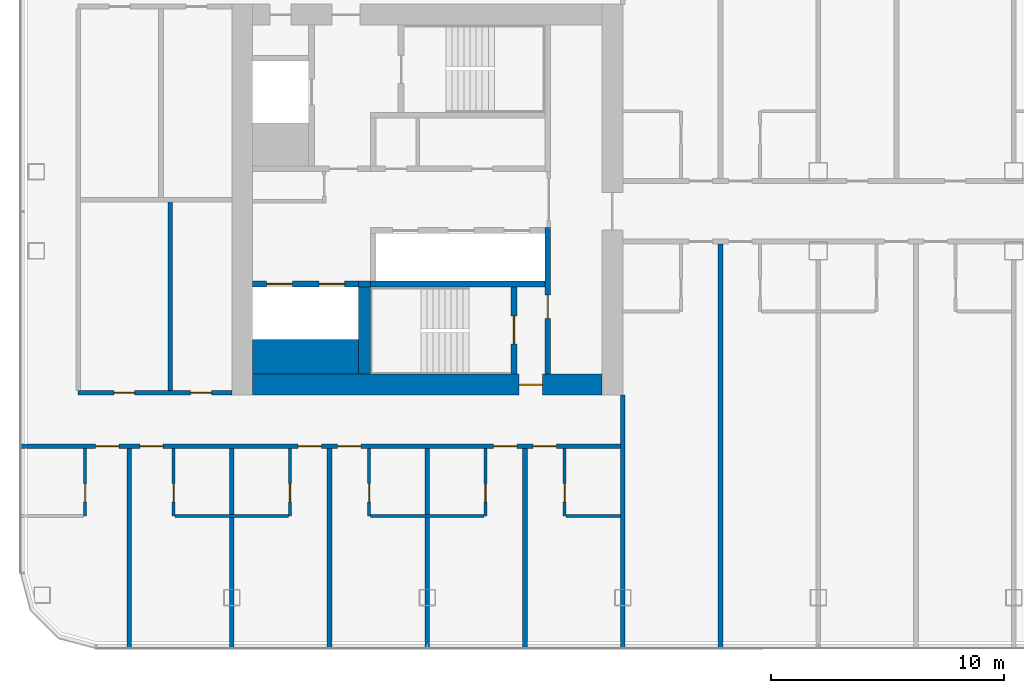
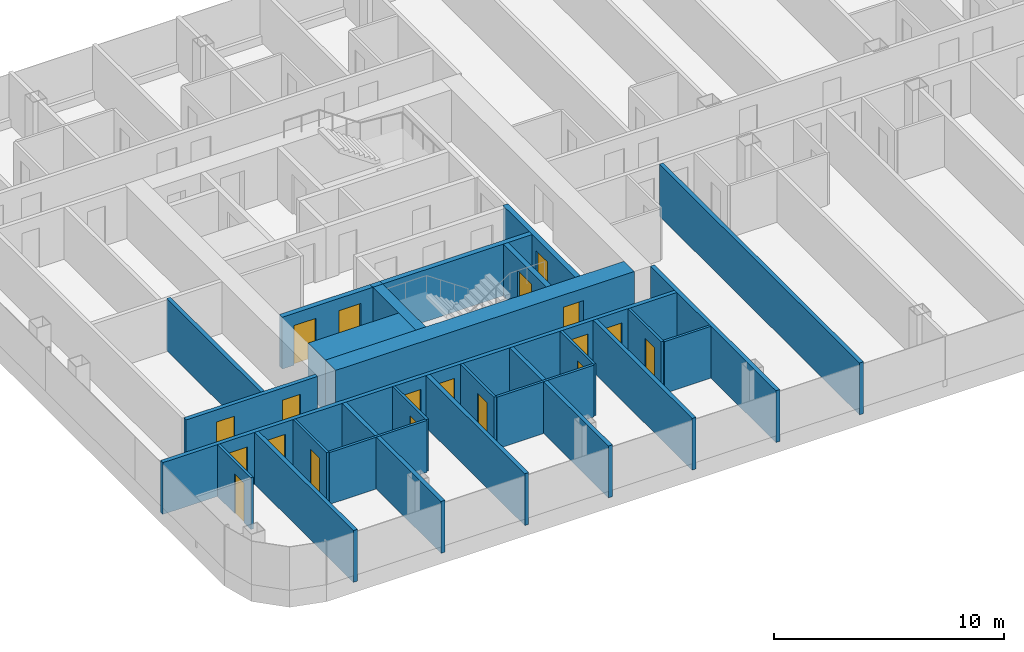
# One storey, part 12 of 27: 27 walls, 19 doors, 19 openings.
"""IFC4 building model written with IfcOpenShell, lengths in metres."""

from ifc_helpers import new_model, si_unit, direction, frame, frame_2d, origin, place, context, subcontext, project, spatial, rectangle, extrude, material, layer, layer_set, type_object, element, fill, save


model = new_model("IFC4")

# Units and contexts
model_context = context("Model", 3, precision=1e-05, world=origin(), true_north=direction((0.0, 1.0)))
body_context = subcontext(model_context, "Body", "Model", "MODEL_VIEW")
ifc_project = project(units=[si_unit("LENGTHUNIT", "METRE"), si_unit("AREAUNIT", "SQUARE_METRE"), si_unit("VOLUMEUNIT", "CUBIC_METRE"), si_unit("PLANEANGLEUNIT", "RADIAN"), si_unit("MASSUNIT", "GRAM", prefix="KILO")], contexts=[model_context])

# Site, building, storey
site_placement = place(None, origin())
site = spatial("IfcSite", under=ifc_project, at=site_placement, CompositionType="ELEMENT")
building_placement = place(site_placement, origin())
building = spatial("IfcBuilding", under=site, at=building_placement, Name="Hakoniwa Tower and Hamabe Station Hall", CompositionType="ELEMENT")
storey_placement = place(building_placement, frame((0.0, 0.0, 166.199951171875)))
storey = spatial("IfcBuildingStorey", under=building, at=storey_placement, Name="L47", CompositionType="ELEMENT", Elevation=166.199951171875)

# Walls
ifc_material_1 = material(Name="Gypsum board partition", Category="gypsum")
ifc_layer_1 = layer(ifc_material_1, 0.125)
ifc_layer_set_1 = layer_set([ifc_layer_1], Name="Bathroom Partition 125")
wall_type_1 = type_object("IfcWallType", Name="Bathroom Partition 125", PredefinedType="PARTITIONING", material=ifc_layer_set_1)
for number, where, z_axis, x_axis, name in (
    (1, (-36.03759765625, -13.60009765625, 0.0), (0.0, 0.0, 1.0), (1.0, 0.0, 0.0), "GW-L47-002"),
    (2, (-27.637451171875, -13.60009765625, 0.0), (0.0, 0.0, 1.0), (1.0, 0.0, 0.0), "GW-L47-003"),
):
    element("IfcWall", number, at=place(storey_placement, frame(where, z_axis=z_axis, x_axis=x_axis)), inside=storey, type_object=wall_type_1, Name=name, PredefinedType="PARTITIONING", context=body_context, shape_type="SweptSolid", body=[
        extrude(rectangle(XDim=4.875, YDim=0.125, at=frame_2d((2.4375, 0.0))), origin(), (0.0, 0.0, 1.0), 2.75),
    ])
wall_1_placement = place(storey_placement, frame((-19.237548828125, -13.60009765625, 0.0), z_axis=(0.0, 0.0, 1.0), x_axis=(1.0, 0.0, 0.0)))
element("IfcWall", 3, at=wall_1_placement, inside=storey, type_object=wall_type_1, Name="GW-L47-004", PredefinedType="PARTITIONING", context=body_context, shape_type="SweptSolid", body=[
    extrude(rectangle(XDim=2.337646484375, YDim=0.125, at=frame_2d((1.1689453125, 0.0))), origin(), (0.0, 0.0, 1.0), 2.75),
])

# Wall, opening, door
wall_2_placement = place(storey_placement, frame((-39.89990234375, -13.60009765625, 0.0), z_axis=(0.0, 0.0, 1.0), x_axis=(0.0, 1.0, 0.0)))
wall_2 = element("IfcWall", 4, at=wall_2_placement, inside=storey, type_object=wall_type_1, Name="GW-L47-036", PredefinedType="PARTITIONING", context=body_context, shape_type="SweptSolid", body=[
    extrude(rectangle(XDim=2.900146484375, YDim=0.125, at=frame_2d((1.4501953125, 0.0))), origin(), (0.0, 0.0, 1.0), 2.75),
])
opening_1_placement = place(wall_2_placement, frame((0.60009765625, 0.0, 0.0)))
opening_1 = element("IfcOpeningElement", 5, at=opening_1_placement, cuts=wall_2, Name="Opening GD-G3B2-46", PredefinedType="OPENING", context=body_context, shape_type="SweptSolid", body=[
    extrude(rectangle(XDim=0.800048828125, YDim=2.10009765625, at=frame_2d((0.39990234375, 1.050048828125))), frame((0.0, 0.072509765625, 0.0), z_axis=(0.0, -1.0, 0.0), x_axis=(1.0, 0.0, 0.0)), (0.0, 0.0, 1.0), 0.14501953125),
])
ifc_material_2 = material(Name="Timber door leaf", Category="wood")
door_type_1 = type_object("IfcDoorType", Name="Bathroom Door 800", OperationType="SINGLE_SWING_LEFT", PredefinedType="DOOR", material=ifc_material_2)
door_1_placement = place(opening_1_placement, origin())
door_1 = element("IfcDoor", 6, at=door_1_placement, inside=storey, type_object=door_type_1, Name="Door GD-G3B2-46", OperationType="SINGLE_SWING_RIGHT", OverallHeight=2.10009765625, OverallWidth=0.800048828125, PredefinedType="DOOR", context=body_context, shape_type="SweptSolid", body=[
    extrude(rectangle(XDim=0.800048828125, YDim=2.10009765625, at=frame_2d((0.39990234375, 1.050048828125))), frame((0.0, 0.02490234375, 0.0), z_axis=(0.0, -1.0, 0.0), x_axis=(1.0, 0.0, 0.0)), (0.0, 0.0, 1.0), 0.050048828125),
])
fill(opening_1, door_1)

wall_3_placement = place(storey_placement, frame((-36.10009765625, -13.60009765625, 0.0), z_axis=(0.0, 0.0, 1.0), x_axis=(0.0, 1.0, 0.0)))
wall_3 = element("IfcWall", 7, at=wall_3_placement, inside=storey, type_object=wall_type_1, Name="GW-L47-042", PredefinedType="PARTITIONING", context=body_context, shape_type="SweptSolid", body=[
    extrude(rectangle(XDim=2.900146484375, YDim=0.125, at=frame_2d((1.4501953125, 0.0))), origin(), (0.0, 0.0, 1.0), 2.75),
])
opening_2_placement = place(wall_3_placement, frame((0.60009765625, 0.0, 0.0)))
opening_2 = element("IfcOpeningElement", 8, at=opening_2_placement, cuts=wall_3, Name="Opening GD-G3B2-48", PredefinedType="OPENING", context=body_context, shape_type="SweptSolid", body=[
    extrude(rectangle(XDim=0.800048828125, YDim=2.10009765625, at=frame_2d((0.39990234375, 1.050048828125))), frame((0.0, 0.072509765625, 0.0), z_axis=(0.0, -1.0, 0.0), x_axis=(1.0, 0.0, 0.0)), (0.0, 0.0, 1.0), 0.14501953125),
])
door_2_placement = place(opening_2_placement, origin())
door_2 = element("IfcDoor", 9, at=door_2_placement, inside=storey, type_object=door_type_1, Name="Door GD-G3B2-48", OperationType="SINGLE_SWING_LEFT", OverallHeight=2.10009765625, OverallWidth=0.800048828125, PredefinedType="DOOR", context=body_context, shape_type="SweptSolid", body=[
    extrude(rectangle(XDim=0.800048828125, YDim=2.10009765625, at=frame_2d((0.39990234375, 1.050048828125))), frame((0.0, 0.02490234375, 0.0), z_axis=(0.0, -1.0, 0.0), x_axis=(1.0, 0.0, 0.0)), (0.0, 0.0, 1.0), 0.050048828125),
])
fill(opening_2, door_2)

wall_4_placement = place(storey_placement, frame((-31.10009765625, -13.60009765625, 0.0), z_axis=(0.0, 0.0, 1.0), x_axis=(0.0, 1.0, 0.0)))
wall_4 = element("IfcWall", 10, at=wall_4_placement, inside=storey, type_object=wall_type_1, Name="GW-L47-046", PredefinedType="PARTITIONING", context=body_context, shape_type="SweptSolid", body=[
    extrude(rectangle(XDim=2.900146484375, YDim=0.125, at=frame_2d((1.4501953125, 0.0))), origin(), (0.0, 0.0, 1.0), 2.75),
])
opening_3_placement = place(wall_4_placement, frame((0.60009765625, 0.0, 0.0)))
opening_3 = element("IfcOpeningElement", 11, at=opening_3_placement, cuts=wall_4, Name="Opening GD-G3B2-50", PredefinedType="OPENING", context=body_context, shape_type="SweptSolid", body=[
    extrude(rectangle(XDim=0.800048828125, YDim=2.10009765625, at=frame_2d((0.39990234375, 1.050048828125))), frame((0.0, 0.072509765625, 0.0), z_axis=(0.0, -1.0, 0.0), x_axis=(1.0, 0.0, 0.0)), (0.0, 0.0, 1.0), 0.14501953125),
])
door_3_placement = place(opening_3_placement, origin())
door_3 = element("IfcDoor", 12, at=door_3_placement, inside=storey, type_object=door_type_1, Name="Door GD-G3B2-50", OperationType="SINGLE_SWING_RIGHT", OverallHeight=2.10009765625, OverallWidth=0.800048828125, PredefinedType="DOOR", context=body_context, shape_type="SweptSolid", body=[
    extrude(rectangle(XDim=0.800048828125, YDim=2.10009765625, at=frame_2d((0.39990234375, 1.050048828125))), frame((0.0, 0.02490234375, 0.0), z_axis=(0.0, -1.0, 0.0), x_axis=(1.0, 0.0, 0.0)), (0.0, 0.0, 1.0), 0.050048828125),
])
fill(opening_3, door_3)

wall_5_placement = place(storey_placement, frame((-27.699951171875, -13.60009765625, 0.0), z_axis=(0.0, 0.0, 1.0), x_axis=(0.0, 1.0, 0.0)))
wall_5 = element("IfcWall", 13, at=wall_5_placement, inside=storey, type_object=wall_type_1, Name="GW-L47-050", PredefinedType="PARTITIONING", context=body_context, shape_type="SweptSolid", body=[
    extrude(rectangle(XDim=2.900146484375, YDim=0.125, at=frame_2d((1.4501953125, 0.0))), origin(), (0.0, 0.0, 1.0), 2.75),
])
opening_4_placement = place(wall_5_placement, frame((0.60009765625, 0.0, 0.0)))
opening_4 = element("IfcOpeningElement", 14, at=opening_4_placement, cuts=wall_5, Name="Opening GD-G3B2-52", PredefinedType="OPENING", context=body_context, shape_type="SweptSolid", body=[
    extrude(rectangle(XDim=0.800048828125, YDim=2.10009765625, at=frame_2d((0.39990234375, 1.050048828125))), frame((0.0, 0.072509765625, 0.0), z_axis=(0.0, -1.0, 0.0), x_axis=(1.0, 0.0, 0.0)), (0.0, 0.0, 1.0), 0.14501953125),
])
door_4_placement = place(opening_4_placement, origin())
door_4 = element("IfcDoor", 15, at=door_4_placement, inside=storey, type_object=door_type_1, Name="Door GD-G3B2-52", OperationType="SINGLE_SWING_LEFT", OverallHeight=2.10009765625, OverallWidth=0.800048828125, PredefinedType="DOOR", context=body_context, shape_type="SweptSolid", body=[
    extrude(rectangle(XDim=0.800048828125, YDim=2.10009765625, at=frame_2d((0.39990234375, 1.050048828125))), frame((0.0, 0.02490234375, 0.0), z_axis=(0.0, -1.0, 0.0), x_axis=(1.0, 0.0, 0.0)), (0.0, 0.0, 1.0), 0.050048828125),
])
fill(opening_4, door_4)

wall_6_placement = place(storey_placement, frame((-22.699951171875, -13.60009765625, 0.0), z_axis=(0.0, 0.0, 1.0), x_axis=(0.0, 1.0, 0.0)))
wall_6 = element("IfcWall", 16, at=wall_6_placement, inside=storey, type_object=wall_type_1, Name="GW-L47-054", PredefinedType="PARTITIONING", context=body_context, shape_type="SweptSolid", body=[
    extrude(rectangle(XDim=2.900146484375, YDim=0.125, at=frame_2d((1.4501953125, 0.0))), origin(), (0.0, 0.0, 1.0), 2.75),
])
opening_5_placement = place(wall_6_placement, frame((0.60009765625, 0.0, 0.0)))
opening_5 = element("IfcOpeningElement", 17, at=opening_5_placement, cuts=wall_6, Name="Opening GD-G3B2-54", PredefinedType="OPENING", context=body_context, shape_type="SweptSolid", body=[
    extrude(rectangle(XDim=0.800048828125, YDim=2.10009765625, at=frame_2d((0.39990234375, 1.050048828125))), frame((0.0, 0.072509765625, 0.0), z_axis=(0.0, -1.0, 0.0), x_axis=(1.0, 0.0, 0.0)), (0.0, 0.0, 1.0), 0.14501953125),
])
door_5_placement = place(opening_5_placement, origin())
door_5 = element("IfcDoor", 18, at=door_5_placement, inside=storey, type_object=door_type_1, Name="Door GD-G3B2-54", OperationType="SINGLE_SWING_RIGHT", OverallHeight=2.10009765625, OverallWidth=0.800048828125, PredefinedType="DOOR", context=body_context, shape_type="SweptSolid", body=[
    extrude(rectangle(XDim=0.800048828125, YDim=2.10009765625, at=frame_2d((0.39990234375, 1.050048828125))), frame((0.0, 0.02490234375, 0.0), z_axis=(0.0, -1.0, 0.0), x_axis=(1.0, 0.0, 0.0)), (0.0, 0.0, 1.0), 0.050048828125),
])
fill(opening_5, door_5)

wall_7_placement = place(storey_placement, frame((-19.300048828125, -13.60009765625, 0.0), z_axis=(0.0, 0.0, 1.0), x_axis=(0.0, 1.0, 0.0)))
wall_7 = element("IfcWall", 19, at=wall_7_placement, inside=storey, type_object=wall_type_1, Name="GW-L47-058", PredefinedType="PARTITIONING", context=body_context, shape_type="SweptSolid", body=[
    extrude(rectangle(XDim=2.900146484375, YDim=0.125, at=frame_2d((1.4501953125, 0.0))), origin(), (0.0, 0.0, 1.0), 2.75),
])
opening_6_placement = place(wall_7_placement, frame((0.60009765625, 0.0, 0.0)))
opening_6 = element("IfcOpeningElement", 20, at=opening_6_placement, cuts=wall_7, Name="Opening GD-G3B2-56", PredefinedType="OPENING", context=body_context, shape_type="SweptSolid", body=[
    extrude(rectangle(XDim=0.800048828125, YDim=2.10009765625, at=frame_2d((0.39990234375, 1.050048828125))), frame((0.0, 0.072509765625, 0.0), z_axis=(0.0, -1.0, 0.0), x_axis=(1.0, 0.0, 0.0)), (0.0, 0.0, 1.0), 0.14501953125),
])
door_6_placement = place(opening_6_placement, origin())
door_6 = element("IfcDoor", 21, at=door_6_placement, inside=storey, type_object=door_type_1, Name="Door GD-G3B2-56", OperationType="SINGLE_SWING_LEFT", OverallHeight=2.10009765625, OverallWidth=0.800048828125, PredefinedType="DOOR", context=body_context, shape_type="SweptSolid", body=[
    extrude(rectangle(XDim=0.800048828125, YDim=2.10009765625, at=frame_2d((0.39990234375, 1.050048828125))), frame((0.0, 0.02490234375, 0.0), z_axis=(0.0, -1.0, 0.0), x_axis=(1.0, 0.0, 0.0)), (0.0, 0.0, 1.0), 0.050048828125),
])
fill(opening_6, door_6)

ifc_material_3 = material(Name="Concrete C66", Category="concrete")
ifc_layer_2 = layer(ifc_material_3, 0.89990234375)
ifc_layer_set_2 = layer_set([ifc_layer_2], Name="CORE WALL 900 C66")
wall_type_2 = type_object("IfcWallType", Name="CORE WALL 900 C66", PredefinedType="SHEAR", material=ifc_layer_set_2)
wall_8_placement = place(storey_placement, frame((-32.699951171875, -7.949951171875, 0.0), z_axis=(0.0, 0.0, 1.0), x_axis=(1.0, 0.0, 0.0)))
wall_8 = element("IfcWall", 22, at=wall_8_placement, inside=storey, type_object=wall_type_2, Name="Core wall SOUTH west", PredefinedType="SHEAR", context=body_context, shape_type="SweptSolid", body=[
    extrude(rectangle(XDim=15.0, YDim=0.89990234375, at=frame_2d((7.5, 0.0))), origin(), (0.0, 0.0, 1.0), 2.75),
])
opening_7_placement = place(wall_8_placement, frame((11.449951171875, 0.0, 0.0)))
opening_7 = element("IfcOpeningElement", 23, at=opening_7_placement, cuts=wall_8, Name="Opening CD-W-FS3-10", PredefinedType="OPENING", context=body_context, shape_type="SweptSolid", body=[
    extrude(rectangle(XDim=1.0, YDim=2.10009765625, at=frame_2d((0.5, 1.050048828125))), frame((0.0, 0.4599609375, 0.0), z_axis=(0.0, -1.0, 0.0), x_axis=(1.0, 0.0, 0.0)), (0.0, 0.0, 1.0), 0.919921875),
])
ifc_material_4 = material(Name="Steel fire door", Category="steel")
door_type_2 = type_object("IfcDoorType", Name="CORE DOOR 1000 FD60", OperationType="NOTDEFINED", PredefinedType="DOOR", material=ifc_material_4)
door_7_placement = place(opening_7_placement, origin())
door_7 = element("IfcDoor", 24, at=door_7_placement, inside=storey, type_object=door_type_2, Name="Stair vestibule door", OperationType="SINGLE_SWING_LEFT", OverallHeight=2.10009765625, OverallWidth=1.0, PredefinedType="DOOR", context=body_context, shape_type="SweptSolid", body=[
    extrude(rectangle(XDim=1.0, YDim=2.10009765625, at=frame_2d((0.5, 1.050048828125))), frame((0.0, 0.02490234375, 0.0), z_axis=(0.0, -1.0, 0.0), x_axis=(1.0, 0.0, 0.0)), (0.0, 0.0, 1.0), 0.050048828125),
])
fill(opening_7, door_7)

# Wall
ifc_material_5 = material(Name="Concrete C66", Category="concrete")
ifc_layer_3 = layer(ifc_material_5, 1.5)
ifc_layer_set_3 = layer_set([ifc_layer_3], Name="CORE WEB WALL 1500 C66")
wall_type_3 = type_object("IfcWallType", Name="CORE WEB WALL 1500 C66", PredefinedType="SHEAR", material=ifc_layer_set_3)
wall_9_placement = place(storey_placement, frame((-32.699951171875, -6.75, 0.0), z_axis=(0.0, 0.0, 1.0), x_axis=(1.0, 0.0, 0.0)))
element("IfcWall", 25, at=wall_9_placement, inside=storey, type_object=wall_type_3, Name="Core wall SER west", PredefinedType="SHEAR", context=body_context, shape_type="SweptSolid", body=[
    extrude(rectangle(XDim=4.550048828125, YDim=1.5, at=frame_2d((2.27490234375, 0.0))), origin(), (0.0, 0.0, 1.0), 2.75),
])

# Wall, opening, door
ifc_material_6 = material(Name="Concrete C66", Category="concrete")
ifc_layer_4 = layer(ifc_material_6, 0.25)
ifc_layer_set_4 = layer_set([ifc_layer_4], Name="CORE WEB WALL 250 C66")
wall_type_4 = type_object("IfcWallType", Name="CORE WEB WALL 250 C66", PredefinedType="SHEAR", material=ifc_layer_set_4)
wall_10_placement = place(storey_placement, frame((-20.02490234375, -7.5, 0.0), z_axis=(0.0, 0.0, 1.0), x_axis=(0.0, 1.0, 0.0)))
wall_10 = element("IfcWall", 26, at=wall_10_placement, inside=storey, type_object=wall_type_4, Name="Core wall W1S west", PredefinedType="SHEAR", context=body_context, shape_type="SweptSolid", body=[
    extrude(rectangle(XDim=6.300048828125, YDim=0.25, at=frame_2d((3.14990234375, 0.0))), origin(), (0.0, 0.0, 1.0), 2.75),
])
opening_8_placement = place(wall_10_placement, frame((2.39990234375, 0.0, 0.0)))
opening_8 = element("IfcOpeningElement", 27, at=opening_8_placement, cuts=wall_10, Name="Opening CD-W-VS-10", PredefinedType="OPENING", context=body_context, shape_type="SweptSolid", body=[
    extrude(rectangle(XDim=1.0, YDim=2.10009765625, at=frame_2d((0.5, 1.050048828125))), frame((0.0, 0.135009765625, 0.0), z_axis=(0.0, -1.0, 0.0), x_axis=(1.0, 0.0, 0.0)), (0.0, 0.0, 1.0), 0.27001953125),
])
door_8_placement = place(opening_8_placement, origin())
door_8 = element("IfcDoor", 28, at=door_8_placement, inside=storey, type_object=door_type_2, Name="Stair vestibule door", OperationType="SINGLE_SWING_LEFT", OverallHeight=2.10009765625, OverallWidth=1.0, PredefinedType="DOOR", context=body_context, shape_type="SweptSolid", body=[
    extrude(rectangle(XDim=1.0, YDim=2.10009765625, at=frame_2d((0.5, 1.050048828125))), frame((0.0, 0.02490234375, 0.0), z_axis=(0.0, -1.0, 0.0), x_axis=(1.0, 0.0, 0.0)), (0.0, 0.0, 1.0), 0.050048828125),
])
fill(opening_8, door_8)

# Wall
wall_11_placement = place(storey_placement, frame((-27.64990234375, -3.625, 0.0), z_axis=(0.0, 0.0, 1.0), x_axis=(1.0, 0.0, 0.0)))
element("IfcWall", 29, at=wall_11_placement, inside=storey, type_object=wall_type_4, Name="Core wall SR west", PredefinedType="SHEAR", context=body_context, shape_type="SweptSolid", body=[
    extrude(rectangle(XDim=7.5, YDim=0.25, at=frame_2d((3.75, 0.0))), origin(), (0.0, 0.0, 1.0), 2.75),
])

# Wall, opening, door
wall_12_placement = place(storey_placement, frame((-21.47509765625, -7.5, 0.0), z_axis=(0.0, 0.0, 1.0), x_axis=(0.0, 1.0, 0.0)))
wall_12 = element("IfcWall", 30, at=wall_12_placement, inside=storey, type_object=wall_type_4, Name="Core wall VE west", PredefinedType="SHEAR", context=body_context, shape_type="SweptSolid", body=[
    extrude(rectangle(XDim=3.75, YDim=0.25, at=frame_2d((1.875, 0.0))), origin(), (0.0, 0.0, 1.0), 2.75),
])
opening_9_placement = place(wall_12_placement, frame((1.300048828125, 0.0, 0.0)))
opening_9 = element("IfcOpeningElement", 31, at=opening_9_placement, cuts=wall_12, Name="Opening CD-W-SS-12", PredefinedType="OPENING", context=body_context, shape_type="SweptSolid", body=[
    extrude(rectangle(XDim=1.199951171875, YDim=2.10009765625, at=frame_2d((0.60009765625, 1.050048828125))), frame((0.0, 0.135009765625, 0.0), z_axis=(0.0, -1.0, 0.0), x_axis=(1.0, 0.0, 0.0)), (0.0, 0.0, 1.0), 0.27001953125),
])
ifc_material_7 = material(Name="Steel fire door", Category="steel")
door_type_3 = type_object("IfcDoorType", Name="CORE DOOR 1200 FD60", OperationType="DOUBLE_DOOR_SINGLE_SWING", PredefinedType="DOOR", material=ifc_material_7)
door_9_placement = place(opening_9_placement, origin())
door_9 = element("IfcDoor", 32, at=door_9_placement, inside=storey, type_object=door_type_3, Name="Escape stair door", OperationType="DOUBLE_DOOR_SINGLE_SWING", OverallHeight=2.10009765625, OverallWidth=1.199951171875, PredefinedType="DOOR", context=body_context, shape_type="SweptSolid", body=[
    extrude(rectangle(XDim=1.199951171875, YDim=2.10009765625, at=frame_2d((0.60009765625, 1.050048828125))), frame((0.0, 0.02490234375, 0.0), z_axis=(0.0, -1.0, 0.0), x_axis=(1.0, 0.0, 0.0)), (0.0, 0.0, 1.0), 0.050048828125),
])
fill(opening_9, door_9)

# Wall, openings, doors
wall_13_placement = place(storey_placement, frame((-32.699951171875, -3.625, 0.0), z_axis=(0.0, 0.0, 1.0), x_axis=(1.0, 0.0, 0.0)))
wall_13 = element("IfcWall", 33, at=wall_13_placement, inside=storey, type_object=wall_type_4, Name="Core wall SEF west", PredefinedType="SHEAR", context=body_context, shape_type="SweptSolid", body=[
    extrude(rectangle(XDim=4.550048828125, YDim=0.25, at=frame_2d((2.27490234375, 0.0))), origin(), (0.0, 0.0, 1.0), 2.75),
])
opening_10_placement = place(wall_13_placement, frame((2.85009765625, 0.0, 0.0)))
opening_10 = element("IfcOpeningElement", 34, at=opening_10_placement, cuts=wall_13, Name="Opening LD-SV1", PredefinedType="OPENING", context=body_context, shape_type="SweptSolid", body=[
    extrude(rectangle(XDim=1.10009765625, YDim=2.10009765625, at=frame_2d((0.550048828125, 1.050048828125))), frame((0.0, 0.135009765625, 0.0), z_axis=(0.0, -1.0, 0.0), x_axis=(1.0, 0.0, 0.0)), (0.0, 0.0, 1.0), 0.27001953125),
])
opening_11_placement = place(wall_13_placement, frame((0.60009765625, 0.0, 0.0)))
opening_11 = element("IfcOpeningElement", 35, at=opening_11_placement, cuts=wall_13, Name="Opening LD-SV2", PredefinedType="OPENING", context=body_context, shape_type="SweptSolid", body=[
    extrude(rectangle(XDim=1.10009765625, YDim=2.10009765625, at=frame_2d((0.550048828125, 1.050048828125))), frame((0.0, 0.135009765625, 0.0), z_axis=(0.0, -1.0, 0.0), x_axis=(1.0, 0.0, 0.0)), (0.0, 0.0, 1.0), 0.27001953125),
])
ifc_material_8 = material(Name="Stainless steel SUS304", Category="steel")
door_type_4 = type_object("IfcDoorType", Name="LIFT LANDING DOOR 1100 FD60", OperationType="DOUBLE_DOOR_SLIDING", PredefinedType="DOOR", material=ifc_material_8)
door_10_placement = place(opening_10_placement, origin())
door_10 = element("IfcDoor", 36, at=door_10_placement, inside=storey, type_object=door_type_4, Name="Lift landing door SV1 L47", OperationType="DOUBLE_DOOR_SLIDING", OverallHeight=2.10009765625, OverallWidth=1.10009765625, PredefinedType="DOOR", context=body_context, shape_type="SweptSolid", body=[
    extrude(rectangle(XDim=1.10009765625, YDim=2.10009765625, at=frame_2d((0.550048828125, 1.050048828125))), frame((0.0, 0.02490234375, 0.0), z_axis=(0.0, -1.0, 0.0), x_axis=(1.0, 0.0, 0.0)), (0.0, 0.0, 1.0), 0.050048828125),
])
fill(opening_10, door_10)
door_11_placement = place(opening_11_placement, origin())
door_11 = element("IfcDoor", 37, at=door_11_placement, inside=storey, type_object=door_type_4, Name="Lift landing door SV2 L47", OperationType="DOUBLE_DOOR_SLIDING", OverallHeight=2.10009765625, OverallWidth=1.10009765625, PredefinedType="DOOR", context=body_context, shape_type="SweptSolid", body=[
    extrude(rectangle(XDim=1.10009765625, YDim=2.10009765625, at=frame_2d((0.550048828125, 1.050048828125))), frame((0.0, 0.02490234375, 0.0), z_axis=(0.0, -1.0, 0.0), x_axis=(1.0, 0.0, 0.0)), (0.0, 0.0, 1.0), 0.050048828125),
])
fill(opening_11, door_11)

# Walls
wall_14_placement = place(storey_placement, frame((-28.14990234375, -3.625, 0.0), z_axis=(0.0, 0.0, 1.0), x_axis=(1.0, 0.0, 0.0)))
element("IfcWall", 38, at=wall_14_placement, inside=storey, type_object=wall_type_4, Name="Core wall SRK west", PredefinedType="SHEAR", context=body_context, shape_type="SweptSolid", body=[
    extrude(rectangle(XDim=0.5, YDim=0.25, at=frame_2d((0.25, 0.0))), origin(), (0.0, 0.0, 1.0), 2.75),
])
ifc_material_9 = material(Name="Concrete C66", Category="concrete")
ifc_layer_5 = layer(ifc_material_9, 0.5)
ifc_layer_set_5 = layer_set([ifc_layer_5], Name="CORE WEB WALL 500 C66")
wall_type_5 = type_object("IfcWallType", Name="CORE WEB WALL 500 C66", PredefinedType="SHEAR", material=ifc_layer_set_5)
wall_15_placement = place(storey_placement, frame((-27.89990234375, -7.5, 0.0), z_axis=(0.0, 0.0, 1.0), x_axis=(0.0, 1.0, 0.0)))
element("IfcWall", 39, at=wall_15_placement, inside=storey, type_object=wall_type_5, Name="Core wall SSE west", PredefinedType="SHEAR", context=body_context, shape_type="SweptSolid", body=[
    extrude(rectangle(XDim=3.75, YDim=0.5, at=frame_2d((1.875, 0.0))), origin(), (0.0, 0.0, 1.0), 2.75),
])

# Wall, openings, doors
ifc_material_10 = material(Name="Fire-rated gypsum board partition", Category="gypsum")
ifc_layer_6 = layer(ifc_material_10, 0.199951171875)
ifc_layer_set_6 = layer_set([ifc_layer_6], Name="Corridor Wall 200")
wall_type_6 = type_object("IfcWallType", Name="Corridor Wall 200", PredefinedType="PARTITIONING", material=ifc_layer_set_6)
wall_16_placement = place(storey_placement, frame((-42.699951171875, -10.60009765625, 0.0), z_axis=(0.0, 0.0, 1.0), x_axis=(1.0, 0.0, 0.0)))
wall_16 = element("IfcWall", 40, at=wall_16_placement, inside=storey, type_object=wall_type_6, Name="GW-L47-009", PredefinedType="PARTITIONING", context=body_context, shape_type="SweptSolid", body=[
    extrude(rectangle(XDim=25.89990234375, YDim=0.199951171875, at=frame_2d((12.949951171875, 0.0))), origin(), (0.0, 0.0, 1.0), 2.75),
])
opening_12_placement = place(wall_16_placement, frame((3.25, 0.0, 0.0)))
opening_12 = element("IfcOpeningElement", 41, at=opening_12_placement, cuts=wall_16, Name="Opening GD-G3B2-01", PredefinedType="OPENING", context=body_context, shape_type="SweptSolid", body=[
    extrude(rectangle(XDim=1.0, YDim=2.10009765625, at=frame_2d((0.5, 1.050048828125))), frame((0.0, 0.10986328125, 0.0), z_axis=(0.0, -1.0, 0.0), x_axis=(1.0, 0.0, 0.0)), (0.0, 0.0, 1.0), 0.219970703125),
])
opening_13_placement = place(wall_16_placement, frame((5.14990234375, 0.0, 0.0)))
opening_13 = element("IfcOpeningElement", 42, at=opening_13_placement, cuts=wall_16, Name="Opening GD-G3B2-02", PredefinedType="OPENING", context=body_context, shape_type="SweptSolid", body=[
    extrude(rectangle(XDim=1.0, YDim=2.10009765625, at=frame_2d((0.5, 1.050048828125))), frame((0.0, 0.10986328125, 0.0), z_axis=(0.0, -1.0, 0.0), x_axis=(1.0, 0.0, 0.0)), (0.0, 0.0, 1.0), 0.219970703125),
])
opening_14_placement = place(wall_16_placement, frame((11.949951171875, 0.0, 0.0)))
opening_14 = element("IfcOpeningElement", 43, at=opening_14_placement, cuts=wall_16, Name="Opening GD-G3B2-03", PredefinedType="OPENING", context=body_context, shape_type="SweptSolid", body=[
    extrude(rectangle(XDim=1.0, YDim=2.10009765625, at=frame_2d((0.5, 1.050048828125))), frame((0.0, 0.10986328125, 0.0), z_axis=(0.0, -1.0, 0.0), x_axis=(1.0, 0.0, 0.0)), (0.0, 0.0, 1.0), 0.219970703125),
])
opening_15_placement = place(wall_16_placement, frame((13.64990234375, 0.0, 0.0)))
opening_15 = element("IfcOpeningElement", 44, at=opening_15_placement, cuts=wall_16, Name="Opening GD-G3B2-04", PredefinedType="OPENING", context=body_context, shape_type="SweptSolid", body=[
    extrude(rectangle(XDim=1.0, YDim=2.10009765625, at=frame_2d((0.5, 1.050048828125))), frame((0.0, 0.10986328125, 0.0), z_axis=(0.0, -1.0, 0.0), x_axis=(1.0, 0.0, 0.0)), (0.0, 0.0, 1.0), 0.219970703125),
])
opening_16_placement = place(wall_16_placement, frame((20.35009765625, 0.0, 0.0)))
opening_16 = element("IfcOpeningElement", 45, at=opening_16_placement, cuts=wall_16, Name="Opening GD-G3B2-05", PredefinedType="OPENING", context=body_context, shape_type="SweptSolid", body=[
    extrude(rectangle(XDim=1.0, YDim=2.10009765625, at=frame_2d((0.5, 1.050048828125))), frame((0.0, 0.10986328125, 0.0), z_axis=(0.0, -1.0, 0.0), x_axis=(1.0, 0.0, 0.0)), (0.0, 0.0, 1.0), 0.219970703125),
])
opening_17_placement = place(wall_16_placement, frame((22.050048828125, 0.0, 0.0)))
opening_17 = element("IfcOpeningElement", 46, at=opening_17_placement, cuts=wall_16, Name="Opening GD-G3B2-06", PredefinedType="OPENING", context=body_context, shape_type="SweptSolid", body=[
    extrude(rectangle(XDim=1.0, YDim=2.10009765625, at=frame_2d((0.5, 1.050048828125))), frame((0.0, 0.10986328125, 0.0), z_axis=(0.0, -1.0, 0.0), x_axis=(1.0, 0.0, 0.0)), (0.0, 0.0, 1.0), 0.219970703125),
])
ifc_material_11 = material(Name="Timber door leaf", Category="wood")
door_type_5 = type_object("IfcDoorType", Name="Guest Entrance Door 1000", OperationType="SINGLE_SWING_LEFT", PredefinedType="DOOR", material=ifc_material_11)
door_12_placement = place(opening_12_placement, origin())
door_12 = element("IfcDoor", 47, at=door_12_placement, inside=storey, type_object=door_type_5, Name="Door GD-G3B2-01", OperationType="SINGLE_SWING_LEFT", OverallHeight=2.10009765625, OverallWidth=1.0, PredefinedType="DOOR", context=body_context, shape_type="SweptSolid", body=[
    extrude(rectangle(XDim=1.0, YDim=2.10009765625, at=frame_2d((0.5, 1.050048828125))), frame((0.0, 0.02490234375, 0.0), z_axis=(0.0, -1.0, 0.0), x_axis=(1.0, 0.0, 0.0)), (0.0, 0.0, 1.0), 0.050048828125),
])
fill(opening_12, door_12)
door_13_placement = place(opening_13_placement, origin())
door_13 = element("IfcDoor", 48, at=door_13_placement, inside=storey, type_object=door_type_5, Name="Door GD-G3B2-02", OperationType="SINGLE_SWING_RIGHT", OverallHeight=2.10009765625, OverallWidth=1.0, PredefinedType="DOOR", context=body_context, shape_type="SweptSolid", body=[
    extrude(rectangle(XDim=1.0, YDim=2.10009765625, at=frame_2d((0.5, 1.050048828125))), frame((0.0, 0.02490234375, 0.0), z_axis=(0.0, -1.0, 0.0), x_axis=(1.0, 0.0, 0.0)), (0.0, 0.0, 1.0), 0.050048828125),
])
fill(opening_13, door_13)
door_14_placement = place(opening_14_placement, origin())
door_14 = element("IfcDoor", 49, at=door_14_placement, inside=storey, type_object=door_type_5, Name="Door GD-G3B2-03", OperationType="SINGLE_SWING_LEFT", OverallHeight=2.10009765625, OverallWidth=1.0, PredefinedType="DOOR", context=body_context, shape_type="SweptSolid", body=[
    extrude(rectangle(XDim=1.0, YDim=2.10009765625, at=frame_2d((0.5, 1.050048828125))), frame((0.0, 0.02490234375, 0.0), z_axis=(0.0, -1.0, 0.0), x_axis=(1.0, 0.0, 0.0)), (0.0, 0.0, 1.0), 0.050048828125),
])
fill(opening_14, door_14)
door_15_placement = place(opening_15_placement, origin())
door_15 = element("IfcDoor", 50, at=door_15_placement, inside=storey, type_object=door_type_5, Name="Door GD-G3B2-04", OperationType="SINGLE_SWING_RIGHT", OverallHeight=2.10009765625, OverallWidth=1.0, PredefinedType="DOOR", context=body_context, shape_type="SweptSolid", body=[
    extrude(rectangle(XDim=1.0, YDim=2.10009765625, at=frame_2d((0.5, 1.050048828125))), frame((0.0, 0.02490234375, 0.0), z_axis=(0.0, -1.0, 0.0), x_axis=(1.0, 0.0, 0.0)), (0.0, 0.0, 1.0), 0.050048828125),
])
fill(opening_15, door_15)
door_16_placement = place(opening_16_placement, origin())
door_16 = element("IfcDoor", 51, at=door_16_placement, inside=storey, type_object=door_type_5, Name="Door GD-G3B2-05", OperationType="SINGLE_SWING_LEFT", OverallHeight=2.10009765625, OverallWidth=1.0, PredefinedType="DOOR", context=body_context, shape_type="SweptSolid", body=[
    extrude(rectangle(XDim=1.0, YDim=2.10009765625, at=frame_2d((0.5, 1.050048828125))), frame((0.0, 0.02490234375, 0.0), z_axis=(0.0, -1.0, 0.0), x_axis=(1.0, 0.0, 0.0)), (0.0, 0.0, 1.0), 0.050048828125),
])
fill(opening_16, door_16)
door_17_placement = place(opening_17_placement, origin())
door_17 = element("IfcDoor", 52, at=door_17_placement, inside=storey, type_object=door_type_5, Name="Door GD-G3B2-06", OperationType="SINGLE_SWING_RIGHT", OverallHeight=2.10009765625, OverallWidth=1.0, PredefinedType="DOOR", context=body_context, shape_type="SweptSolid", body=[
    extrude(rectangle(XDim=1.0, YDim=2.10009765625, at=frame_2d((0.5, 1.050048828125))), frame((0.0, 0.02490234375, 0.0), z_axis=(0.0, -1.0, 0.0), x_axis=(1.0, 0.0, 0.0)), (0.0, 0.0, 1.0), 0.050048828125),
])
fill(opening_17, door_17)

wall_17_placement = place(storey_placement, frame((-40.199951171875, -8.300048828125, 0.0), z_axis=(0.0, 0.0, 1.0), x_axis=(1.0, 0.0, 0.0)))
wall_17 = element("IfcWall", 53, at=wall_17_placement, inside=storey, type_object=wall_type_6, Name="GW-L47-011", PredefinedType="PARTITIONING", context=body_context, shape_type="SweptSolid", body=[
    extrude(rectangle(XDim=6.599853515625, YDim=0.199951171875, at=frame_2d((3.2998046875, 0.0))), origin(), (0.0, 0.0, 1.0), 2.75),
])
opening_18_placement = place(wall_17_placement, frame((1.530029296875, 0.0, 0.0)))
opening_18 = element("IfcOpeningElement", 54, at=opening_18_placement, cuts=wall_17, Name="Opening GD-G3B2-13", PredefinedType="OPENING", context=body_context, shape_type="SweptSolid", body=[
    extrude(rectangle(XDim=0.89990234375, YDim=2.10009765625, at=frame_2d((0.449951171875, 1.050048828125))), frame((0.0, 0.10986328125, 0.0), z_axis=(0.0, -1.0, 0.0), x_axis=(1.0, 0.0, 0.0)), (0.0, 0.0, 1.0), 0.219970703125),
])
opening_19_placement = place(wall_17_placement, frame((4.830078125, 0.0, 0.0)))
opening_19 = element("IfcOpeningElement", 55, at=opening_19_placement, cuts=wall_17, Name="Opening GD-G3B2-14", PredefinedType="OPENING", context=body_context, shape_type="SweptSolid", body=[
    extrude(rectangle(XDim=0.89990234375, YDim=2.10009765625, at=frame_2d((0.449951171875, 1.050048828125))), frame((0.0, 0.10986328125, 0.0), z_axis=(0.0, -1.0, 0.0), x_axis=(1.0, 0.0, 0.0)), (0.0, 0.0, 1.0), 0.219970703125),
])
ifc_material_12 = material(Name="Timber door leaf", Category="wood")
door_type_6 = type_object("IfcDoorType", Name="Service Door 900", OperationType="SINGLE_SWING_LEFT", PredefinedType="DOOR", material=ifc_material_12)
door_18_placement = place(opening_18_placement, origin())
door_18 = element("IfcDoor", 56, at=door_18_placement, inside=storey, type_object=door_type_6, Name="Door GD-G3B2-13", OperationType="SINGLE_SWING_LEFT", OverallHeight=2.10009765625, OverallWidth=0.89990234375, PredefinedType="DOOR", context=body_context, shape_type="SweptSolid", body=[
    extrude(rectangle(XDim=0.89990234375, YDim=2.10009765625, at=frame_2d((0.449951171875, 1.050048828125))), frame((0.0, 0.02490234375, 0.0), z_axis=(0.0, -1.0, 0.0), x_axis=(1.0, 0.0, 0.0)), (0.0, 0.0, 1.0), 0.050048828125),
])
fill(opening_18, door_18)
door_19_placement = place(opening_19_placement, origin())
door_19 = element("IfcDoor", 57, at=door_19_placement, inside=storey, type_object=door_type_6, Name="Door GD-G3B2-14", OperationType="SINGLE_SWING_RIGHT", OverallHeight=2.10009765625, OverallWidth=0.89990234375, PredefinedType="DOOR", context=body_context, shape_type="SweptSolid", body=[
    extrude(rectangle(XDim=0.89990234375, YDim=2.10009765625, at=frame_2d((0.449951171875, 1.050048828125))), frame((0.0, 0.02490234375, 0.0), z_axis=(0.0, -1.0, 0.0), x_axis=(1.0, 0.0, 0.0)), (0.0, 0.0, 1.0), 0.050048828125),
])
fill(opening_19, door_19)

# Walls
ifc_material_13 = material(Name="Fire-rated gypsum board partition", Category="gypsum")
ifc_layer_7 = layer(ifc_material_13, 0.199951171875)
ifc_layer_set_7 = layer_set([ifc_layer_7], Name="Party Wall 200")
wall_type_7 = type_object("IfcWallType", Name="Party Wall 200", PredefinedType="PARTITIONING", material=ifc_layer_set_7)
wall_18_placement = place(storey_placement, frame((-38.0, -19.300048828125, 0.0), z_axis=(0.0, 0.0, 1.0), x_axis=(0.0, 1.0, 0.0)))
element("IfcWall", 58, at=wall_18_placement, inside=storey, type_object=wall_type_7, Name="GW-L47-038", PredefinedType="PARTITIONING", context=body_context, shape_type="SweptSolid", body=[
    extrude(rectangle(XDim=8.60009765625, YDim=0.199951171875, at=frame_2d((4.300048828125, 0.0))), origin(), (0.0, 0.0, 1.0), 2.75),
])
wall_19_placement = place(storey_placement, frame((-36.239990234375, -8.199951171875, 0.0), z_axis=(0.0, 0.0, 1.0), x_axis=(0.0, 1.0, 0.0)))
element("IfcWall", 59, at=wall_19_placement, inside=storey, type_object=wall_type_7, Name="GW-L47-041", PredefinedType="PARTITIONING", context=body_context, shape_type="SweptSolid", body=[
    extrude(rectangle(XDim=8.199951171875, YDim=0.199951171875, at=frame_2d((4.10009765625, 0.0))), origin(), (0.0, 0.0, 1.0), 2.75),
])
for number, where, z_axis, x_axis, name in (
    (60, (-33.60009765625, -19.300048828125, 0.0), (0.0, 0.0, 1.0), (0.0, 1.0, 0.0), "GW-L47-044"),
    (61, (-29.39990234375, -19.300048828125, 0.0), (0.0, 0.0, 1.0), (0.0, 1.0, 0.0), "GW-L47-048"),
    (62, (-25.199951171875, -19.300048828125, 0.0), (0.0, 0.0, 1.0), (0.0, 1.0, 0.0), "GW-L47-052"),
    (63, (-21.0, -19.300048828125, 0.0), (0.0, 0.0, 1.0), (0.0, 1.0, 0.0), "GW-L47-056"),
):
    element("IfcWall", number, at=place(storey_placement, frame(where, z_axis=z_axis, x_axis=x_axis)), inside=storey, type_object=wall_type_7, Name=name, PredefinedType="PARTITIONING", context=body_context, shape_type="SweptSolid", body=[
        extrude(rectangle(XDim=8.60009765625, YDim=0.199951171875, at=frame_2d((4.300048828125, 0.0))), origin(), (0.0, 0.0, 1.0), 2.75),
    ])
wall_20_placement = place(storey_placement, frame((-16.800048828125, -19.300048828125, 0.0), z_axis=(0.0, 0.0, 1.0), x_axis=(0.0, 1.0, 0.0)))
element("IfcWall", 64, at=wall_20_placement, inside=storey, type_object=wall_type_7, Name="GW-L47-060", PredefinedType="PARTITIONING", context=body_context, shape_type="SweptSolid", body=[
    extrude(rectangle(XDim=10.91015625, YDim=0.199951171875, at=frame_2d((5.455078125, 0.0))), origin(), (0.0, 0.0, 1.0), 2.75),
])
wall_21_placement = place(storey_placement, frame((-12.60009765625, -19.300048828125, 0.0), z_axis=(0.0, 0.0, 1.0), x_axis=(0.0, 1.0, 0.0)))
element("IfcWall", 65, at=wall_21_placement, inside=storey, type_object=wall_type_7, Name="GW-L47-064", PredefinedType="PARTITIONING", context=body_context, shape_type="SweptSolid", body=[
    extrude(rectangle(XDim=17.400146484375, YDim=0.199951171875, at=frame_2d((8.7001953125, 0.0))), origin(), (0.0, 0.0, 1.0), 2.75),
])

save(model, "model.ifc")
